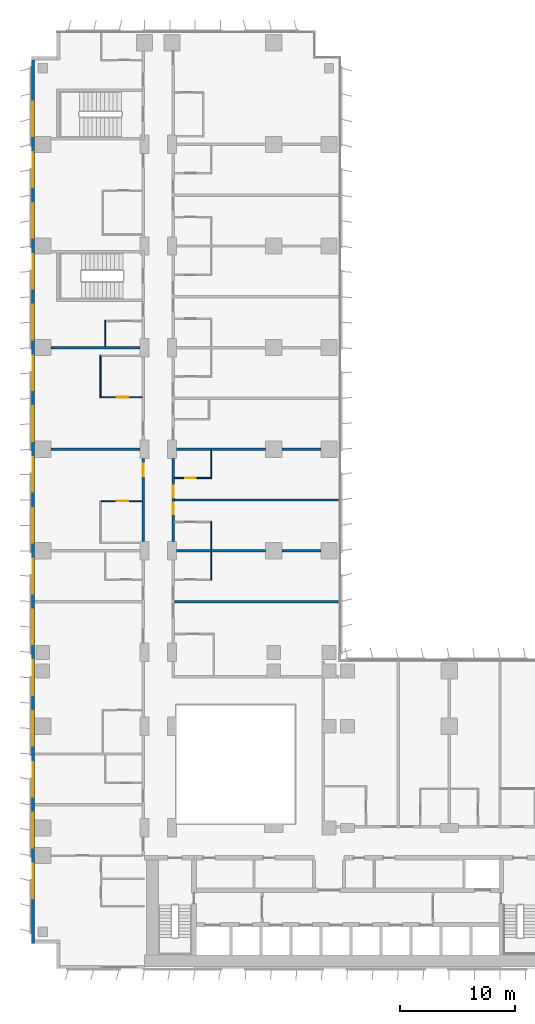
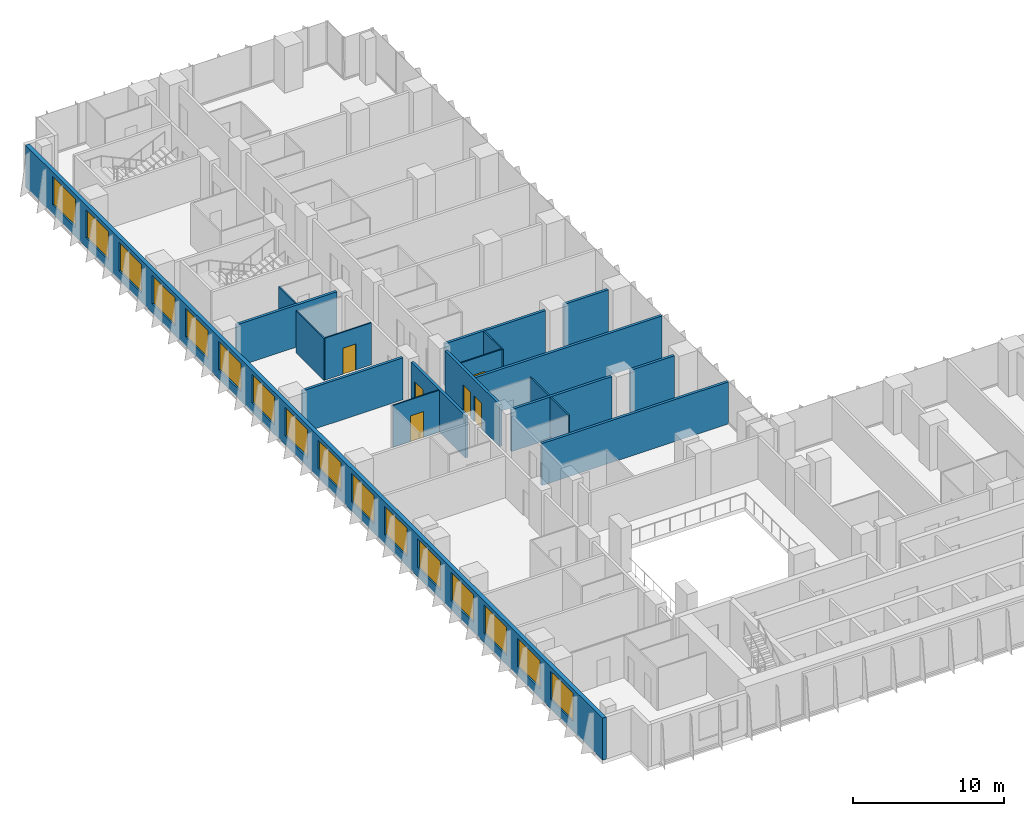
# One storey, part 16 of 24: 19 walls, 16 windows, 6 doors, 22 openings.
"""IFC4 building model written with IfcOpenShell, lengths in metres."""

from ifc_helpers import new_model, si_unit, direction, frame, frame_2d, origin, place, context, subcontext, project, spatial, rectangle, extrude, material, layer, layer_set, type_object, element, fill, save


model = new_model("IFC4")

# Units and contexts
model_context = context("Model", 3, precision=1e-05, world=origin(), true_north=direction((0.0, 1.0)))
body_context = subcontext(model_context, "Body", "Model", "MODEL_VIEW")
ifc_project = project(units=[si_unit("LENGTHUNIT", "METRE"), si_unit("AREAUNIT", "SQUARE_METRE"), si_unit("VOLUMEUNIT", "CUBIC_METRE"), si_unit("PLANEANGLEUNIT", "RADIAN"), si_unit("MASSUNIT", "GRAM", prefix="KILO")], contexts=[model_context])

# Site, building, storey
site_placement = place(None, origin())
site = spatial("IfcSite", under=ifc_project, at=site_placement, CompositionType="ELEMENT")
building_placement = place(site_placement, origin())
building = spatial("IfcBuilding", under=site, at=building_placement, Name="Kemantara Hotel Tower", CompositionType="ELEMENT")
storey_placement = place(building_placement, frame((0.0, 0.0, 59.89990234375)))
storey = spatial("IfcBuildingStorey", under=building, at=storey_placement, Name="L13", CompositionType="ELEMENT", Elevation=59.89990234375)

# Wall, openings, windows
ifc_material_1 = material(Name="Bronze anodised aluminium cladding on insulated steel stud wall", Category="steel")
ifc_layer_1 = layer(ifc_material_1, 0.300048828125)
ifc_layer_set_1 = layer_set([ifc_layer_1], Name="Bronze anodised aluminium cladding on insulated steel stud wall")
wall_type_1 = type_object("IfcWallType", Name="BRONZE METAL-CLAD EXTERNAL WALL 300", PredefinedType="STANDARD", material=ifc_layer_set_1)
wall_1_placement = place(storey_placement, frame((0.14990234375, 78.699951171875, 0.0), z_axis=(0.0, 0.0, 1.0), x_axis=(0.0, -1.0, 0.0)))
wall_1 = element("IfcWall", 1, at=wall_1_placement, inside=storey, type_object=wall_type_1, Name="EXTERNAL WALL L13 T1-R14", PredefinedType="STANDARD", context=body_context, shape_type="SweptSolid", body=[
    extrude(rectangle(XDim=76.5, YDim=0.300048828125, at=frame_2d((38.25, 0.0))), origin(), (0.0, 0.0, 1.0), 3.400146484375),
])
opening_1_placement = place(wall_1_placement, frame((3.60009765625, 0.0, 0.75)))
opening_1 = element("IfcOpeningElement", 2, at=opening_1_placement, cuts=wall_1, Name="Opening W1", PredefinedType="OPENING", context=body_context, shape_type="SweptSolid", body=[
    extrude(rectangle(XDim=3.0, YDim=2.300048828125, at=frame_2d((1.5, 1.14990234375))), frame((0.0, 0.159912109375, 0.0), z_axis=(0.0, -1.0, 0.0), x_axis=(1.0, 0.0, 0.0)), (0.0, 0.0, 1.0), 0.320068359375),
])
opening_2_placement = place(wall_1_placement, frame((8.0, 0.0, 0.75)))
opening_2 = element("IfcOpeningElement", 3, at=opening_2_placement, cuts=wall_1, Name="Opening W1", PredefinedType="OPENING", context=body_context, shape_type="SweptSolid", body=[
    extrude(rectangle(XDim=3.0, YDim=2.300048828125, at=frame_2d((1.5, 1.14990234375))), frame((0.0, 0.159912109375, 0.0), z_axis=(0.0, -1.0, 0.0), x_axis=(1.0, 0.0, 0.0)), (0.0, 0.0, 1.0), 0.320068359375),
])
opening_3_placement = place(wall_1_placement, frame((12.39990234375, 0.0, 0.75)))
opening_3 = element("IfcOpeningElement", 4, at=opening_3_placement, cuts=wall_1, Name="Opening W1", PredefinedType="OPENING", context=body_context, shape_type="SweptSolid", body=[
    extrude(rectangle(XDim=3.0, YDim=2.300048828125, at=frame_2d((1.5, 1.14990234375))), frame((0.0, 0.159912109375, 0.0), z_axis=(0.0, -1.0, 0.0), x_axis=(1.0, 0.0, 0.0)), (0.0, 0.0, 1.0), 0.320068359375),
])
opening_4_placement = place(wall_1_placement, frame((16.800048828125, 0.0, 0.75)))
opening_4 = element("IfcOpeningElement", 5, at=opening_4_placement, cuts=wall_1, Name="Opening W1", PredefinedType="OPENING", context=body_context, shape_type="SweptSolid", body=[
    extrude(rectangle(XDim=3.0, YDim=2.300048828125, at=frame_2d((1.5, 1.14990234375))), frame((0.0, 0.159912109375, 0.0), z_axis=(0.0, -1.0, 0.0), x_axis=(1.0, 0.0, 0.0)), (0.0, 0.0, 1.0), 0.320068359375),
])
opening_5_placement = place(wall_1_placement, frame((21.199951171875, 0.0, 0.75)))
opening_5 = element("IfcOpeningElement", 6, at=opening_5_placement, cuts=wall_1, Name="Opening W1", PredefinedType="OPENING", context=body_context, shape_type="SweptSolid", body=[
    extrude(rectangle(XDim=3.0, YDim=2.300048828125, at=frame_2d((1.5, 1.14990234375))), frame((0.0, 0.159912109375, 0.0), z_axis=(0.0, -1.0, 0.0), x_axis=(1.0, 0.0, 0.0)), (0.0, 0.0, 1.0), 0.320068359375),
])
opening_6_placement = place(wall_1_placement, frame((25.60009765625, 0.0, 0.75)))
opening_6 = element("IfcOpeningElement", 7, at=opening_6_placement, cuts=wall_1, Name="Opening W1", PredefinedType="OPENING", context=body_context, shape_type="SweptSolid", body=[
    extrude(rectangle(XDim=3.0, YDim=2.300048828125, at=frame_2d((1.5, 1.14990234375))), frame((0.0, 0.159912109375, 0.0), z_axis=(0.0, -1.0, 0.0), x_axis=(1.0, 0.0, 0.0)), (0.0, 0.0, 1.0), 0.320068359375),
])
opening_7_placement = place(wall_1_placement, frame((30.0, 0.0, 0.75)))
opening_7 = element("IfcOpeningElement", 8, at=opening_7_placement, cuts=wall_1, Name="Opening W1", PredefinedType="OPENING", context=body_context, shape_type="SweptSolid", body=[
    extrude(rectangle(XDim=3.0, YDim=2.300048828125, at=frame_2d((1.5, 1.14990234375))), frame((0.0, 0.159912109375, 0.0), z_axis=(0.0, -1.0, 0.0), x_axis=(1.0, 0.0, 0.0)), (0.0, 0.0, 1.0), 0.320068359375),
])
opening_8_placement = place(wall_1_placement, frame((34.39990234375, 0.0, 0.75)))
opening_8 = element("IfcOpeningElement", 9, at=opening_8_placement, cuts=wall_1, Name="Opening W1", PredefinedType="OPENING", context=body_context, shape_type="SweptSolid", body=[
    extrude(rectangle(XDim=3.0, YDim=2.300048828125, at=frame_2d((1.5, 1.14990234375))), frame((0.0, 0.159912109375, 0.0), z_axis=(0.0, -1.0, 0.0), x_axis=(1.0, 0.0, 0.0)), (0.0, 0.0, 1.0), 0.320068359375),
])
opening_9_placement = place(wall_1_placement, frame((38.800048828125, 0.0, 0.75)))
opening_9 = element("IfcOpeningElement", 10, at=opening_9_placement, cuts=wall_1, Name="Opening W1", PredefinedType="OPENING", context=body_context, shape_type="SweptSolid", body=[
    extrude(rectangle(XDim=3.0, YDim=2.300048828125, at=frame_2d((1.5, 1.14990234375))), frame((0.0, 0.159912109375, 0.0), z_axis=(0.0, -1.0, 0.0), x_axis=(1.0, 0.0, 0.0)), (0.0, 0.0, 1.0), 0.320068359375),
])
opening_10_placement = place(wall_1_placement, frame((43.199951171875, 0.0, 0.75)))
opening_10 = element("IfcOpeningElement", 11, at=opening_10_placement, cuts=wall_1, Name="Opening W1", PredefinedType="OPENING", context=body_context, shape_type="SweptSolid", body=[
    extrude(rectangle(XDim=3.0, YDim=2.300048828125, at=frame_2d((1.5, 1.14990234375))), frame((0.0, 0.159912109375, 0.0), z_axis=(0.0, -1.0, 0.0), x_axis=(1.0, 0.0, 0.0)), (0.0, 0.0, 1.0), 0.320068359375),
])
opening_11_placement = place(wall_1_placement, frame((47.60009765625, 0.0, 0.75)))
opening_11 = element("IfcOpeningElement", 12, at=opening_11_placement, cuts=wall_1, Name="Opening W1", PredefinedType="OPENING", context=body_context, shape_type="SweptSolid", body=[
    extrude(rectangle(XDim=3.0, YDim=2.300048828125, at=frame_2d((1.5, 1.14990234375))), frame((0.0, 0.159912109375, 0.0), z_axis=(0.0, -1.0, 0.0), x_axis=(1.0, 0.0, 0.0)), (0.0, 0.0, 1.0), 0.320068359375),
])
opening_12_placement = place(wall_1_placement, frame((52.0, 0.0, 0.75)))
opening_12 = element("IfcOpeningElement", 13, at=opening_12_placement, cuts=wall_1, Name="Opening W1", PredefinedType="OPENING", context=body_context, shape_type="SweptSolid", body=[
    extrude(rectangle(XDim=3.0, YDim=2.300048828125, at=frame_2d((1.5, 1.14990234375))), frame((0.0, 0.159912109375, 0.0), z_axis=(0.0, -1.0, 0.0), x_axis=(1.0, 0.0, 0.0)), (0.0, 0.0, 1.0), 0.320068359375),
])
opening_13_placement = place(wall_1_placement, frame((56.39990234375, 0.0, 0.75)))
opening_13 = element("IfcOpeningElement", 14, at=opening_13_placement, cuts=wall_1, Name="Opening W1", PredefinedType="OPENING", context=body_context, shape_type="SweptSolid", body=[
    extrude(rectangle(XDim=3.0, YDim=2.300048828125, at=frame_2d((1.5, 1.14990234375))), frame((0.0, 0.159912109375, 0.0), z_axis=(0.0, -1.0, 0.0), x_axis=(1.0, 0.0, 0.0)), (0.0, 0.0, 1.0), 0.320068359375),
])
opening_14_placement = place(wall_1_placement, frame((60.800048828125, 0.0, 0.75)))
opening_14 = element("IfcOpeningElement", 15, at=opening_14_placement, cuts=wall_1, Name="Opening W1", PredefinedType="OPENING", context=body_context, shape_type="SweptSolid", body=[
    extrude(rectangle(XDim=3.0, YDim=2.300048828125, at=frame_2d((1.5, 1.14990234375))), frame((0.0, 0.159912109375, 0.0), z_axis=(0.0, -1.0, 0.0), x_axis=(1.0, 0.0, 0.0)), (0.0, 0.0, 1.0), 0.320068359375),
])
opening_15_placement = place(wall_1_placement, frame((65.199951171875, 0.0, 0.75)))
opening_15 = element("IfcOpeningElement", 16, at=opening_15_placement, cuts=wall_1, Name="Opening W1", PredefinedType="OPENING", context=body_context, shape_type="SweptSolid", body=[
    extrude(rectangle(XDim=3.0, YDim=2.300048828125, at=frame_2d((1.5, 1.14990234375))), frame((0.0, 0.159912109375, 0.0), z_axis=(0.0, -1.0, 0.0), x_axis=(1.0, 0.0, 0.0)), (0.0, 0.0, 1.0), 0.320068359375),
])
opening_16_placement = place(wall_1_placement, frame((69.60009765625, 0.0, 0.75)))
opening_16 = element("IfcOpeningElement", 17, at=opening_16_placement, cuts=wall_1, Name="Opening W1", PredefinedType="OPENING", context=body_context, shape_type="SweptSolid", body=[
    extrude(rectangle(XDim=3.0, YDim=2.300048828125, at=frame_2d((1.5, 1.14990234375))), frame((0.0, 0.159912109375, 0.0), z_axis=(0.0, -1.0, 0.0), x_axis=(1.0, 0.0, 0.0)), (0.0, 0.0, 1.0), 0.320068359375),
])
ifc_material_2 = material(Name="Low-E tinted double insulated glass in bronze anodised aluminium frame", Category="aluminium")
window_type = type_object("IfcWindowType", Name="CHICAGO WINDOW, TRIPLE PANEL 3000x2300", PartitioningType="TRIPLE_PANEL_VERTICAL", PredefinedType="WINDOW", material=ifc_material_2)
window_1_placement = place(opening_1_placement, origin())
window_1 = element("IfcWindow", 18, at=window_1_placement, inside=storey, type_object=window_type, Name="CHICAGO WINDOW L13 T1-R14-54", OverallHeight=2.300048828125, OverallWidth=3.0, PartitioningType="SINGLE_PANEL", PredefinedType="WINDOW", context=body_context, shape_type="SweptSolid", body=[
    extrude(rectangle(XDim=3.0, YDim=2.300048828125, at=frame_2d((1.5, 1.14990234375))), frame((0.0, 0.030029296875, 0.0), z_axis=(0.0, -1.0, 0.0), x_axis=(1.0, 0.0, 0.0)), (0.0, 0.0, 1.0), 0.06005859375),
])
fill(opening_1, window_1)
window_2_placement = place(opening_2_placement, origin())
window_2 = element("IfcWindow", 19, at=window_2_placement, inside=storey, type_object=window_type, Name="CHICAGO WINDOW L13 T1-R14-98", OverallHeight=2.300048828125, OverallWidth=3.0, PartitioningType="SINGLE_PANEL", PredefinedType="WINDOW", context=body_context, shape_type="SweptSolid", body=[
    extrude(rectangle(XDim=3.0, YDim=2.300048828125, at=frame_2d((1.5, 1.14990234375))), frame((0.0, 0.030029296875, 0.0), z_axis=(0.0, -1.0, 0.0), x_axis=(1.0, 0.0, 0.0)), (0.0, 0.0, 1.0), 0.06005859375),
])
fill(opening_2, window_2)
window_3_placement = place(opening_3_placement, origin())
window_3 = element("IfcWindow", 20, at=window_3_placement, inside=storey, type_object=window_type, Name="CHICAGO WINDOW L13 T1-R14-142", OverallHeight=2.300048828125, OverallWidth=3.0, PartitioningType="SINGLE_PANEL", PredefinedType="WINDOW", context=body_context, shape_type="SweptSolid", body=[
    extrude(rectangle(XDim=3.0, YDim=2.300048828125, at=frame_2d((1.5, 1.14990234375))), frame((0.0, 0.030029296875, 0.0), z_axis=(0.0, -1.0, 0.0), x_axis=(1.0, 0.0, 0.0)), (0.0, 0.0, 1.0), 0.06005859375),
])
fill(opening_3, window_3)
window_4_placement = place(opening_4_placement, origin())
window_4 = element("IfcWindow", 21, at=window_4_placement, inside=storey, type_object=window_type, Name="CHICAGO WINDOW L13 T1-R14-186", OverallHeight=2.300048828125, OverallWidth=3.0, PartitioningType="SINGLE_PANEL", PredefinedType="WINDOW", context=body_context, shape_type="SweptSolid", body=[
    extrude(rectangle(XDim=3.0, YDim=2.300048828125, at=frame_2d((1.5, 1.14990234375))), frame((0.0, 0.030029296875, 0.0), z_axis=(0.0, -1.0, 0.0), x_axis=(1.0, 0.0, 0.0)), (0.0, 0.0, 1.0), 0.06005859375),
])
fill(opening_4, window_4)
window_5_placement = place(opening_5_placement, origin())
window_5 = element("IfcWindow", 22, at=window_5_placement, inside=storey, type_object=window_type, Name="CHICAGO WINDOW L13 T1-R14-230", OverallHeight=2.300048828125, OverallWidth=3.0, PartitioningType="SINGLE_PANEL", PredefinedType="WINDOW", context=body_context, shape_type="SweptSolid", body=[
    extrude(rectangle(XDim=3.0, YDim=2.300048828125, at=frame_2d((1.5, 1.14990234375))), frame((0.0, 0.030029296875, 0.0), z_axis=(0.0, -1.0, 0.0), x_axis=(1.0, 0.0, 0.0)), (0.0, 0.0, 1.0), 0.06005859375),
])
fill(opening_5, window_5)
window_6_placement = place(opening_6_placement, origin())
window_6 = element("IfcWindow", 23, at=window_6_placement, inside=storey, type_object=window_type, Name="CHICAGO WINDOW L13 T1-R14-274", OverallHeight=2.300048828125, OverallWidth=3.0, PartitioningType="SINGLE_PANEL", PredefinedType="WINDOW", context=body_context, shape_type="SweptSolid", body=[
    extrude(rectangle(XDim=3.0, YDim=2.300048828125, at=frame_2d((1.5, 1.14990234375))), frame((0.0, 0.030029296875, 0.0), z_axis=(0.0, -1.0, 0.0), x_axis=(1.0, 0.0, 0.0)), (0.0, 0.0, 1.0), 0.06005859375),
])
fill(opening_6, window_6)
window_7_placement = place(opening_7_placement, origin())
window_7 = element("IfcWindow", 24, at=window_7_placement, inside=storey, type_object=window_type, Name="CHICAGO WINDOW L13 T1-R14-318", OverallHeight=2.300048828125, OverallWidth=3.0, PartitioningType="SINGLE_PANEL", PredefinedType="WINDOW", context=body_context, shape_type="SweptSolid", body=[
    extrude(rectangle(XDim=3.0, YDim=2.300048828125, at=frame_2d((1.5, 1.14990234375))), frame((0.0, 0.030029296875, 0.0), z_axis=(0.0, -1.0, 0.0), x_axis=(1.0, 0.0, 0.0)), (0.0, 0.0, 1.0), 0.06005859375),
])
fill(opening_7, window_7)
window_8_placement = place(opening_8_placement, origin())
window_8 = element("IfcWindow", 25, at=window_8_placement, inside=storey, type_object=window_type, Name="CHICAGO WINDOW L13 T1-R14-362", OverallHeight=2.300048828125, OverallWidth=3.0, PartitioningType="SINGLE_PANEL", PredefinedType="WINDOW", context=body_context, shape_type="SweptSolid", body=[
    extrude(rectangle(XDim=3.0, YDim=2.300048828125, at=frame_2d((1.5, 1.14990234375))), frame((0.0, 0.030029296875, 0.0), z_axis=(0.0, -1.0, 0.0), x_axis=(1.0, 0.0, 0.0)), (0.0, 0.0, 1.0), 0.06005859375),
])
fill(opening_8, window_8)
window_9_placement = place(opening_9_placement, origin())
window_9 = element("IfcWindow", 26, at=window_9_placement, inside=storey, type_object=window_type, Name="CHICAGO WINDOW L13 T1-R14-406", OverallHeight=2.300048828125, OverallWidth=3.0, PartitioningType="SINGLE_PANEL", PredefinedType="WINDOW", context=body_context, shape_type="SweptSolid", body=[
    extrude(rectangle(XDim=3.0, YDim=2.300048828125, at=frame_2d((1.5, 1.14990234375))), frame((0.0, 0.030029296875, 0.0), z_axis=(0.0, -1.0, 0.0), x_axis=(1.0, 0.0, 0.0)), (0.0, 0.0, 1.0), 0.06005859375),
])
fill(opening_9, window_9)
window_10_placement = place(opening_10_placement, origin())
window_10 = element("IfcWindow", 27, at=window_10_placement, inside=storey, type_object=window_type, Name="CHICAGO WINDOW L13 T1-R14-450", OverallHeight=2.300048828125, OverallWidth=3.0, PartitioningType="SINGLE_PANEL", PredefinedType="WINDOW", context=body_context, shape_type="SweptSolid", body=[
    extrude(rectangle(XDim=3.0, YDim=2.300048828125, at=frame_2d((1.5, 1.14990234375))), frame((0.0, 0.030029296875, 0.0), z_axis=(0.0, -1.0, 0.0), x_axis=(1.0, 0.0, 0.0)), (0.0, 0.0, 1.0), 0.06005859375),
])
fill(opening_10, window_10)
window_11_placement = place(opening_11_placement, origin())
window_11 = element("IfcWindow", 28, at=window_11_placement, inside=storey, type_object=window_type, Name="CHICAGO WINDOW L13 T1-R14-494", OverallHeight=2.300048828125, OverallWidth=3.0, PartitioningType="SINGLE_PANEL", PredefinedType="WINDOW", context=body_context, shape_type="SweptSolid", body=[
    extrude(rectangle(XDim=3.0, YDim=2.300048828125, at=frame_2d((1.5, 1.14990234375))), frame((0.0, 0.030029296875, 0.0), z_axis=(0.0, -1.0, 0.0), x_axis=(1.0, 0.0, 0.0)), (0.0, 0.0, 1.0), 0.06005859375),
])
fill(opening_11, window_11)
window_12_placement = place(opening_12_placement, origin())
window_12 = element("IfcWindow", 29, at=window_12_placement, inside=storey, type_object=window_type, Name="CHICAGO WINDOW L13 T1-R14-538", OverallHeight=2.300048828125, OverallWidth=3.0, PartitioningType="SINGLE_PANEL", PredefinedType="WINDOW", context=body_context, shape_type="SweptSolid", body=[
    extrude(rectangle(XDim=3.0, YDim=2.300048828125, at=frame_2d((1.5, 1.14990234375))), frame((0.0, 0.030029296875, 0.0), z_axis=(0.0, -1.0, 0.0), x_axis=(1.0, 0.0, 0.0)), (0.0, 0.0, 1.0), 0.06005859375),
])
fill(opening_12, window_12)
window_13_placement = place(opening_13_placement, origin())
window_13 = element("IfcWindow", 30, at=window_13_placement, inside=storey, type_object=window_type, Name="CHICAGO WINDOW L13 T1-R14-582", OverallHeight=2.300048828125, OverallWidth=3.0, PartitioningType="SINGLE_PANEL", PredefinedType="WINDOW", context=body_context, shape_type="SweptSolid", body=[
    extrude(rectangle(XDim=3.0, YDim=2.300048828125, at=frame_2d((1.5, 1.14990234375))), frame((0.0, 0.030029296875, 0.0), z_axis=(0.0, -1.0, 0.0), x_axis=(1.0, 0.0, 0.0)), (0.0, 0.0, 1.0), 0.06005859375),
])
fill(opening_13, window_13)
window_14_placement = place(opening_14_placement, origin())
window_14 = element("IfcWindow", 31, at=window_14_placement, inside=storey, type_object=window_type, Name="CHICAGO WINDOW L13 T1-R14-626", OverallHeight=2.300048828125, OverallWidth=3.0, PartitioningType="SINGLE_PANEL", PredefinedType="WINDOW", context=body_context, shape_type="SweptSolid", body=[
    extrude(rectangle(XDim=3.0, YDim=2.300048828125, at=frame_2d((1.5, 1.14990234375))), frame((0.0, 0.030029296875, 0.0), z_axis=(0.0, -1.0, 0.0), x_axis=(1.0, 0.0, 0.0)), (0.0, 0.0, 1.0), 0.06005859375),
])
fill(opening_14, window_14)
window_15_placement = place(opening_15_placement, origin())
window_15 = element("IfcWindow", 32, at=window_15_placement, inside=storey, type_object=window_type, Name="CHICAGO WINDOW L13 T1-R14-670", OverallHeight=2.300048828125, OverallWidth=3.0, PartitioningType="SINGLE_PANEL", PredefinedType="WINDOW", context=body_context, shape_type="SweptSolid", body=[
    extrude(rectangle(XDim=3.0, YDim=2.300048828125, at=frame_2d((1.5, 1.14990234375))), frame((0.0, 0.030029296875, 0.0), z_axis=(0.0, -1.0, 0.0), x_axis=(1.0, 0.0, 0.0)), (0.0, 0.0, 1.0), 0.06005859375),
])
fill(opening_15, window_15)
window_16_placement = place(opening_16_placement, origin())
window_16 = element("IfcWindow", 33, at=window_16_placement, inside=storey, type_object=window_type, Name="CHICAGO WINDOW L13 T1-R14-714", OverallHeight=2.300048828125, OverallWidth=3.0, PartitioningType="SINGLE_PANEL", PredefinedType="WINDOW", context=body_context, shape_type="SweptSolid", body=[
    extrude(rectangle(XDim=3.0, YDim=2.300048828125, at=frame_2d((1.5, 1.14990234375))), frame((0.0, 0.030029296875, 0.0), z_axis=(0.0, -1.0, 0.0), x_axis=(1.0, 0.0, 0.0)), (0.0, 0.0, 1.0), 0.06005859375),
])
fill(opening_16, window_16)

# Wall, opening, door
ifc_material_3 = material(Name="Gypsum board partition, steel studs and mineral wool, 200 mm", Category="steel")
ifc_layer_2 = layer(ifc_material_3, 0.199951171875)
ifc_layer_set_2 = layer_set([ifc_layer_2], Name="Gypsum board partition, steel studs and mineral wool, 200 mm")
wall_type_2 = type_object("IfcWallType", Name="CORRIDOR WALL 200", PredefinedType="PARTITIONING", material=ifc_layer_set_2)
wall_2_placement = place(storey_placement, frame((9.699951171875, 37.0, 0.0), z_axis=(0.0, 0.0, 1.0), x_axis=(0.0, 1.0, 0.0)))
wall_2 = element("IfcWall", 34, at=wall_2_placement, inside=storey, type_object=wall_type_2, Name="CORRIDOR WALL 200 029", PredefinedType="PARTITIONING", context=body_context, shape_type="SweptSolid", body=[
    extrude(rectangle(XDim=7.199951171875, YDim=0.199951171875, at=frame_2d((3.60009765625, 0.0))), origin(), (0.0, 0.0, 1.0), 3.400146484375),
])
opening_17_placement = place(wall_2_placement, frame((5.64990234375, 0.0, 0.0)))
opening_17 = element("IfcOpeningElement", 35, at=opening_17_placement, cuts=wall_2, Name="Opening F04-039", PredefinedType="OPENING", context=body_context, shape_type="SweptSolid", body=[
    extrude(rectangle(XDim=1.10009765625, YDim=2.10009765625, at=frame_2d((0.550048828125, 1.050048828125))), frame((0.0, 0.10986328125, 0.0), z_axis=(0.0, -1.0, 0.0), x_axis=(1.0, 0.0, 0.0)), (0.0, 0.0, 1.0), 0.219970703125),
])
ifc_material_4 = material(Name="Hardwood veneer door leaf with steel frame", Category="steel")
door_type_1 = type_object("IfcDoorType", Name="GUEST ROOM DOOR 1100 X 2100 FD30S", OperationType="NOTDEFINED", PredefinedType="DOOR", material=ifc_material_4)
door_1_placement = place(opening_17_placement, origin())
door_1 = element("IfcDoor", 36, at=door_1_placement, inside=storey, type_object=door_type_1, Name="GUEST ROOM DOOR F04-039", OperationType="SINGLE_SWING_RIGHT", OverallHeight=2.10009765625, OverallWidth=1.10009765625, PredefinedType="DOOR", context=body_context, shape_type="SweptSolid", body=[
    extrude(rectangle(XDim=1.10009765625, YDim=2.10009765625, at=frame_2d((0.550048828125, 1.050048828125))), frame((0.0, 0.02490234375, 0.0), z_axis=(0.0, -1.0, 0.0), x_axis=(1.0, 0.0, 0.0)), (0.0, 0.0, 1.0), 0.050048828125),
])
fill(opening_17, door_1)

# Wall, openings, doors
wall_3_placement = place(storey_placement, frame((12.300048828125, 44.199951171875, 0.0), z_axis=(0.0, 0.0, 1.0), x_axis=(0.0, -1.0, 0.0)))
wall_3 = element("IfcWall", 37, at=wall_3_placement, inside=storey, type_object=wall_type_2, Name="CORRIDOR WALL 200 049", PredefinedType="PARTITIONING", context=body_context, shape_type="SweptSolid", body=[
    extrude(rectangle(XDim=7.199951171875, YDim=0.199951171875, at=frame_2d((3.60009765625, 0.0))), origin(), (0.0, 0.0, 1.0), 3.400146484375),
])
opening_18_placement = place(wall_3_placement, frame((3.849853515625, 0.0, 0.0)))
opening_18 = element("IfcOpeningElement", 38, at=opening_18_placement, cuts=wall_3, Name="Opening F04-053", PredefinedType="OPENING", context=body_context, shape_type="SweptSolid", body=[
    extrude(rectangle(XDim=1.0, YDim=2.10009765625, at=frame_2d((0.5, 1.050048828125))), frame((0.0, 0.10986328125, 0.0), z_axis=(0.0, -1.0, 0.0), x_axis=(1.0, 0.0, 0.0)), (0.0, 0.0, 1.0), 0.219970703125),
])
opening_19_placement = place(wall_3_placement, frame((2.349853515625, 0.0, 0.0)))
opening_19 = element("IfcOpeningElement", 39, at=opening_19_placement, cuts=wall_3, Name="Opening F04-055", PredefinedType="OPENING", context=body_context, shape_type="SweptSolid", body=[
    extrude(rectangle(XDim=1.0, YDim=2.10009765625, at=frame_2d((0.5, 1.050048828125))), frame((0.0, 0.10986328125, 0.0), z_axis=(0.0, -1.0, 0.0), x_axis=(1.0, 0.0, 0.0)), (0.0, 0.0, 1.0), 0.219970703125),
])
door_type_2 = type_object("IfcDoorType", Name="GUEST ROOM DOOR 1000 X 2100 FD30S", OperationType="NOTDEFINED", PredefinedType="DOOR", material=ifc_material_4)
door_2_placement = place(opening_18_placement, origin())
door_2 = element("IfcDoor", 40, at=door_2_placement, inside=storey, type_object=door_type_2, Name="GUEST ROOM DOOR F04-053", OperationType="SINGLE_SWING_LEFT", OverallHeight=2.10009765625, OverallWidth=1.0, PredefinedType="DOOR", context=body_context, shape_type="SweptSolid", body=[
    extrude(rectangle(XDim=1.0, YDim=2.10009765625, at=frame_2d((0.5, 1.050048828125))), frame((0.0, 0.02490234375, 0.0), z_axis=(0.0, -1.0, 0.0), x_axis=(1.0, 0.0, 0.0)), (0.0, 0.0, 1.0), 0.050048828125),
])
fill(opening_18, door_2)
door_3_placement = place(opening_19_placement, origin())
door_3 = element("IfcDoor", 41, at=door_3_placement, inside=storey, type_object=door_type_2, Name="GUEST ROOM DOOR F04-055", OperationType="SINGLE_SWING_RIGHT", OverallHeight=2.10009765625, OverallWidth=1.0, PredefinedType="DOOR", context=body_context, shape_type="SweptSolid", body=[
    extrude(rectangle(XDim=1.0, YDim=2.10009765625, at=frame_2d((0.5, 1.050048828125))), frame((0.0, 0.02490234375, 0.0), z_axis=(0.0, -1.0, 0.0), x_axis=(1.0, 0.0, 0.0)), (0.0, 0.0, 1.0), 0.050048828125),
])
fill(opening_19, door_3)

# Walls
ifc_layer_3 = layer(ifc_material_3, 0.199951171875)
ifc_layer_set_3 = layer_set([ifc_layer_3], Name="Gypsum board partition, steel studs and mineral wool, 200 mm")
wall_type_3 = type_object("IfcWallType", Name="GUEST ROOM PARTY WALL 200", PredefinedType="PARTITIONING", material=ifc_layer_set_3)
wall_4_placement = place(storey_placement, frame((12.39990234375, 31.800048828125, 0.0), z_axis=(0.0, 0.0, 1.0), x_axis=(1.0, 0.0, 0.0)))
element("IfcWall", 42, at=wall_4_placement, inside=storey, type_object=wall_type_3, Name="GUEST ROOM PARTY WALL 200 037", PredefinedType="PARTITIONING", context=body_context, shape_type="SweptSolid", body=[
    extrude(rectangle(XDim=14.27001953125, YDim=0.199951171875, at=frame_2d((7.135009765625, 0.0))), origin(), (0.0, 0.0, 1.0), 3.400146484375),
])
wall_5_placement = place(storey_placement, frame((12.60009765625, 36.199951171875, 0.0), z_axis=(0.0, 0.0, 1.0), x_axis=(1.0, 0.0, 0.0)))
element("IfcWall", 43, at=wall_5_placement, inside=storey, type_object=wall_type_3, Name="GUEST ROOM PARTY WALL 200 039", PredefinedType="PARTITIONING", context=body_context, shape_type="SweptSolid", body=[
    extrude(rectangle(XDim=7.69970703125, YDim=0.199951171875, at=frame_2d((3.849853515625, 0.0))), origin(), (0.0, 0.0, 1.0), 3.400146484375),
])
wall_6_placement = place(storey_placement, frame((21.7001953125, 36.199951171875, 0.0), z_axis=(0.0, 0.0, 1.0), x_axis=(1.0, 0.0, 0.0)))
element("IfcWall", 44, at=wall_6_placement, inside=storey, type_object=wall_type_3, Name="GUEST ROOM PARTY WALL 200 040", PredefinedType="PARTITIONING", context=body_context, shape_type="SweptSolid", body=[
    extrude(rectangle(XDim=3.399658203125, YDim=0.199951171875, at=frame_2d((1.69970703125, 0.0))), origin(), (0.0, 0.0, 1.0), 3.400146484375),
])
for number, where, z_axis, x_axis, name in (
    (45, (1.7001953125, 45.0, 0.0), (0.0, 0.0, 1.0), (1.0, 0.0, 0.0), "GUEST ROOM PARTY WALL 200 041"),
    (46, (12.60009765625, 45.0, 0.0), (0.0, 0.0, 1.0), (1.0, 0.0, 0.0), "GUEST ROOM PARTY WALL 200 042"),
):
    element("IfcWall", number, at=place(storey_placement, frame(where, z_axis=z_axis, x_axis=x_axis)), inside=storey, type_object=wall_type_3, Name=name, PredefinedType="PARTITIONING", context=body_context, shape_type="SweptSolid", body=[
        extrude(rectangle(XDim=7.69970703125, YDim=0.199951171875, at=frame_2d((3.849853515625, 0.0))), origin(), (0.0, 0.0, 1.0), 3.400146484375),
    ])
wall_7_placement = place(storey_placement, frame((21.7001953125, 45.0, 0.0), z_axis=(0.0, 0.0, 1.0), x_axis=(1.0, 0.0, 0.0)))
element("IfcWall", 47, at=wall_7_placement, inside=storey, type_object=wall_type_3, Name="GUEST ROOM PARTY WALL 200 043", PredefinedType="PARTITIONING", context=body_context, shape_type="SweptSolid", body=[
    extrude(rectangle(XDim=3.399658203125, YDim=0.199951171875, at=frame_2d((1.69970703125, 0.0))), origin(), (0.0, 0.0, 1.0), 3.400146484375),
])
wall_8_placement = place(storey_placement, frame((1.7001953125, 53.800048828125, 0.0), z_axis=(0.0, 0.0, 1.0), x_axis=(1.0, 0.0, 0.0)))
element("IfcWall", 48, at=wall_8_placement, inside=storey, type_object=wall_type_3, Name="GUEST ROOM PARTY WALL 200 044", PredefinedType="PARTITIONING", context=body_context, shape_type="SweptSolid", body=[
    extrude(rectangle(XDim=7.69970703125, YDim=0.199951171875, at=frame_2d((3.849853515625, 0.0))), origin(), (0.0, 0.0, 1.0), 3.400146484375),
])
wall_9_placement = place(storey_placement, frame((12.39990234375, 40.60009765625, 0.0), z_axis=(0.0, 0.0, 1.0), x_axis=(1.0, 0.0, 0.0)))
element("IfcWall", 49, at=wall_9_placement, inside=storey, type_object=wall_type_3, Name="GUEST ROOM PARTY WALL 200 057", PredefinedType="PARTITIONING", context=body_context, shape_type="SweptSolid", body=[
    extrude(rectangle(XDim=14.27001953125, YDim=0.199951171875, at=frame_2d((7.135009765625, 0.0))), origin(), (0.0, 0.0, 1.0), 3.400146484375),
])
ifc_material_5 = material(Name="Gypsum board partition on steel studs, 100 mm", Category="steel")
ifc_layer_4 = layer(ifc_material_5, 0.10009765625)
ifc_layer_set_4 = layer_set([ifc_layer_4], Name="Gypsum board partition on steel studs, 100 mm")
wall_type_4 = type_object("IfcWallType", Name="ROOM PARTITION 100", PredefinedType="PARTITIONING", material=ifc_layer_set_4)
wall_10_placement = place(storey_placement, frame((6.39990234375, 53.89990234375, 0.0), z_axis=(0.0, 0.0, 1.0), x_axis=(0.0, 1.0, 0.0)))
element("IfcWall", 50, at=wall_10_placement, inside=storey, type_object=wall_type_4, Name="ROOM PARTITION 100 101", PredefinedType="PARTITIONING", context=body_context, shape_type="SweptSolid", body=[
    extrude(rectangle(XDim=2.25, YDim=0.10009765625, at=frame_2d((1.125, 0.0))), origin(), (0.0, 0.0, 1.0), 3.400146484375),
])
wall_11_placement = place(storey_placement, frame((6.0, 49.449951171875, 0.0), z_axis=(0.0, 0.0, 1.0), x_axis=(0.0, 1.0, 0.0)))
element("IfcWall", 51, at=wall_11_placement, inside=storey, type_object=wall_type_4, Name="ROOM PARTITION 100 109", PredefinedType="PARTITIONING", context=body_context, shape_type="SweptSolid", body=[
    extrude(rectangle(XDim=3.699951171875, YDim=0.10009765625, at=frame_2d((1.85009765625, 0.0))), origin(), (0.0, 0.0, 1.0), 3.400146484375),
])

# Wall, opening, door
wall_12_placement = place(storey_placement, frame((9.60009765625, 40.5, 0.0), z_axis=(0.0, 0.0, 1.0), x_axis=(-1.0, 0.0, 0.0)))
wall_12 = element("IfcWall", 52, at=wall_12_placement, inside=storey, type_object=wall_type_4, Name="ROOM PARTITION 100 111", PredefinedType="PARTITIONING", context=body_context, shape_type="SweptSolid", body=[
    extrude(rectangle(XDim=3.550048828125, YDim=0.10009765625, at=frame_2d((1.77490234375, 0.0))), origin(), (0.0, 0.0, 1.0), 3.400146484375),
])
opening_20_placement = place(wall_12_placement, frame((1.199951171875, 0.0, 0.0)))
opening_20 = element("IfcOpeningElement", 53, at=opening_20_placement, cuts=wall_12, Name="Opening F04-040", PredefinedType="OPENING", context=body_context, shape_type="SweptSolid", body=[
    extrude(rectangle(XDim=1.0, YDim=2.10009765625, at=frame_2d((0.5, 1.050048828125))), frame((0.0, 0.06005859375, 0.0), z_axis=(0.0, -1.0, 0.0), x_axis=(1.0, 0.0, 0.0)), (0.0, 0.0, 1.0), 0.1201171875),
])
door_type_3 = type_object("IfcDoorType", Name="BATHROOM DOOR 1000 X 2100", OperationType="NOTDEFINED", PredefinedType="DOOR", material=ifc_material_4)
door_4_placement = place(opening_20_placement, origin())
door_4 = element("IfcDoor", 54, at=door_4_placement, inside=storey, type_object=door_type_3, Name="BATHROOM DOOR F04-040", OperationType="SINGLE_SWING_LEFT", OverallHeight=2.10009765625, OverallWidth=1.0, PredefinedType="DOOR", context=body_context, shape_type="SweptSolid", body=[
    extrude(rectangle(XDim=1.0, YDim=2.10009765625, at=frame_2d((0.5, 1.050048828125))), frame((0.0, 0.02490234375, 0.0), z_axis=(0.0, -1.0, 0.0), x_axis=(1.0, 0.0, 0.0)), (0.0, 0.0, 1.0), 0.050048828125),
])
fill(opening_20, door_4)

wall_13_placement = place(storey_placement, frame((6.050048828125, 49.5, 0.0), z_axis=(0.0, 0.0, 1.0), x_axis=(1.0, 0.0, 0.0)))
wall_13 = element("IfcWall", 55, at=wall_13_placement, inside=storey, type_object=wall_type_4, Name="ROOM PARTITION 100 112", PredefinedType="PARTITIONING", context=body_context, shape_type="SweptSolid", body=[
    extrude(rectangle(XDim=3.550048828125, YDim=0.10009765625, at=frame_2d((1.77490234375, 0.0))), origin(), (0.0, 0.0, 1.0), 3.400146484375),
])
opening_21_placement = place(wall_13_placement, frame((1.35009765625, 0.0, 0.0)))
opening_21 = element("IfcOpeningElement", 56, at=opening_21_placement, cuts=wall_13, Name="Opening F04-042", PredefinedType="OPENING", context=body_context, shape_type="SweptSolid", body=[
    extrude(rectangle(XDim=1.0, YDim=2.10009765625, at=frame_2d((0.5, 1.050048828125))), frame((0.0, 0.06005859375, 0.0), z_axis=(0.0, -1.0, 0.0), x_axis=(1.0, 0.0, 0.0)), (0.0, 0.0, 1.0), 0.1201171875),
])
door_5_placement = place(opening_21_placement, origin())
door_5 = element("IfcDoor", 57, at=door_5_placement, inside=storey, type_object=door_type_3, Name="BATHROOM DOOR F04-042", OperationType="SINGLE_SWING_RIGHT", OverallHeight=2.10009765625, OverallWidth=1.0, PredefinedType="DOOR", context=body_context, shape_type="SweptSolid", body=[
    extrude(rectangle(XDim=1.0, YDim=2.10009765625, at=frame_2d((0.5, 1.050048828125))), frame((0.0, 0.02490234375, 0.0), z_axis=(0.0, -1.0, 0.0), x_axis=(1.0, 0.0, 0.0)), (0.0, 0.0, 1.0), 0.050048828125),
])
fill(opening_21, door_5)

# Walls
wall_14_placement = place(storey_placement, frame((15.60009765625, 33.64990234375, 0.0), z_axis=(0.0, 0.0, 1.0), x_axis=(0.0, 1.0, 0.0)))
element("IfcWall", 58, at=wall_14_placement, inside=storey, type_object=wall_type_4, Name="ROOM PARTITION 100 120", PredefinedType="PARTITIONING", context=body_context, shape_type="SweptSolid", body=[
    extrude(rectangle(XDim=2.4501953125, YDim=0.10009765625, at=frame_2d((1.22509765625, 0.0))), origin(), (0.0, 0.0, 1.0), 3.400146484375),
])
for number, where, z_axis, x_axis, name in (
    (59, (15.60009765625, 36.300048828125, 0.0), (0.0, 0.0, 1.0), (0.0, 1.0, 0.0), "ROOM PARTITION 100 121"),
    (60, (15.60009765625, 42.449951171875, 0.0), (0.0, 0.0, 1.0), (0.0, 1.0, 0.0), "ROOM PARTITION 100 122"),
):
    element("IfcWall", number, at=place(storey_placement, frame(where, z_axis=z_axis, x_axis=x_axis)), inside=storey, type_object=wall_type_4, Name=name, PredefinedType="PARTITIONING", context=body_context, shape_type="SweptSolid", body=[
        extrude(rectangle(XDim=2.449951171875, YDim=0.10009765625, at=frame_2d((1.22509765625, 0.0))), origin(), (0.0, 0.0, 1.0), 3.400146484375),
    ])

# Wall, opening, door
wall_15_placement = place(storey_placement, frame((12.39990234375, 42.5, 0.0), z_axis=(0.0, 0.0, 1.0), x_axis=(1.0, 0.0, 0.0)))
wall_15 = element("IfcWall", 61, at=wall_15_placement, inside=storey, type_object=wall_type_4, Name="ROOM PARTITION 100 129", PredefinedType="PARTITIONING", context=body_context, shape_type="SweptSolid", body=[
    extrude(rectangle(XDim=3.150146484375, YDim=0.10009765625, at=frame_2d((1.5751953125, 0.0))), origin(), (0.0, 0.0, 1.0), 3.400146484375),
])
opening_22_placement = place(wall_15_placement, frame((0.949951171875, 0.0, 0.0)))
opening_22 = element("IfcOpeningElement", 62, at=opening_22_placement, cuts=wall_15, Name="Opening F04-056", PredefinedType="OPENING", context=body_context, shape_type="SweptSolid", body=[
    extrude(rectangle(XDim=0.89990234375, YDim=2.10009765625, at=frame_2d((0.449951171875, 1.050048828125))), frame((0.0, 0.06005859375, 0.0), z_axis=(0.0, -1.0, 0.0), x_axis=(1.0, 0.0, 0.0)), (0.0, 0.0, 1.0), 0.1201171875),
])
door_type_4 = type_object("IfcDoorType", Name="BATHROOM DOOR 900 X 2100", OperationType="NOTDEFINED", PredefinedType="DOOR", material=ifc_material_4)
door_6_placement = place(opening_22_placement, origin())
door_6 = element("IfcDoor", 63, at=door_6_placement, inside=storey, type_object=door_type_4, Name="BATHROOM DOOR F04-056", OperationType="SINGLE_SWING_LEFT", OverallHeight=2.10009765625, OverallWidth=0.89990234375, PredefinedType="DOOR", context=body_context, shape_type="SweptSolid", body=[
    extrude(rectangle(XDim=0.89990234375, YDim=2.10009765625, at=frame_2d((0.449951171875, 1.050048828125))), frame((0.0, 0.02490234375, 0.0), z_axis=(0.0, -1.0, 0.0), x_axis=(1.0, 0.0, 0.0)), (0.0, 0.0, 1.0), 0.050048828125),
])
fill(opening_22, door_6)

save(model, "model.ifc")
